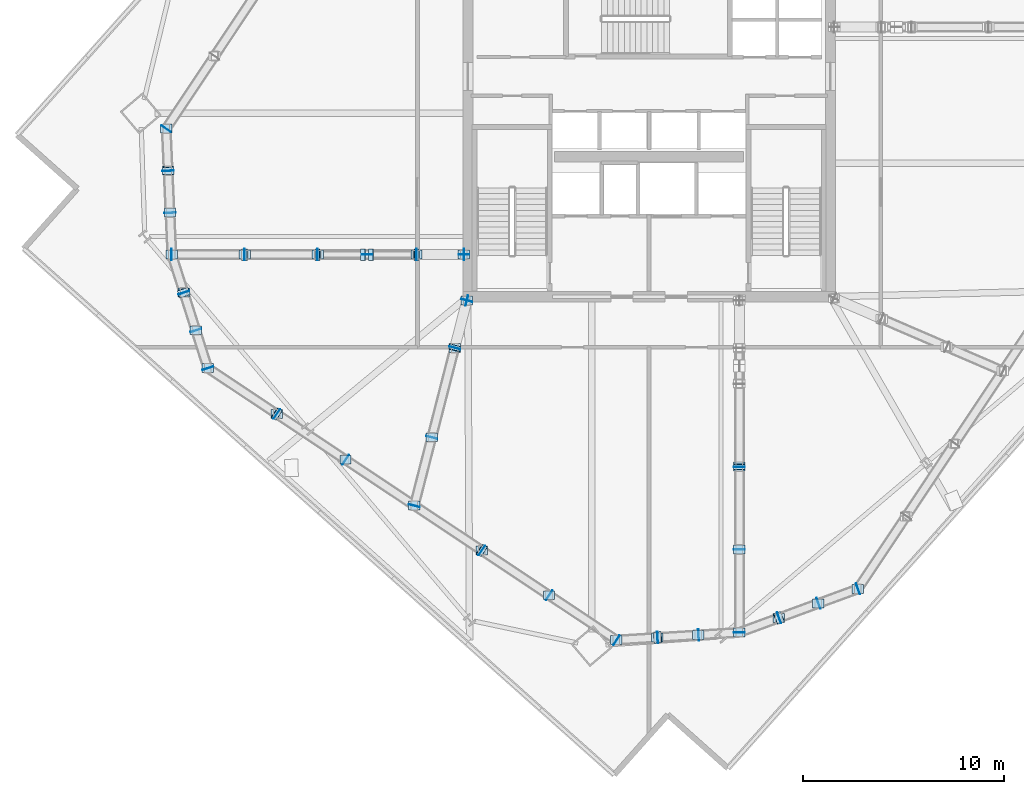
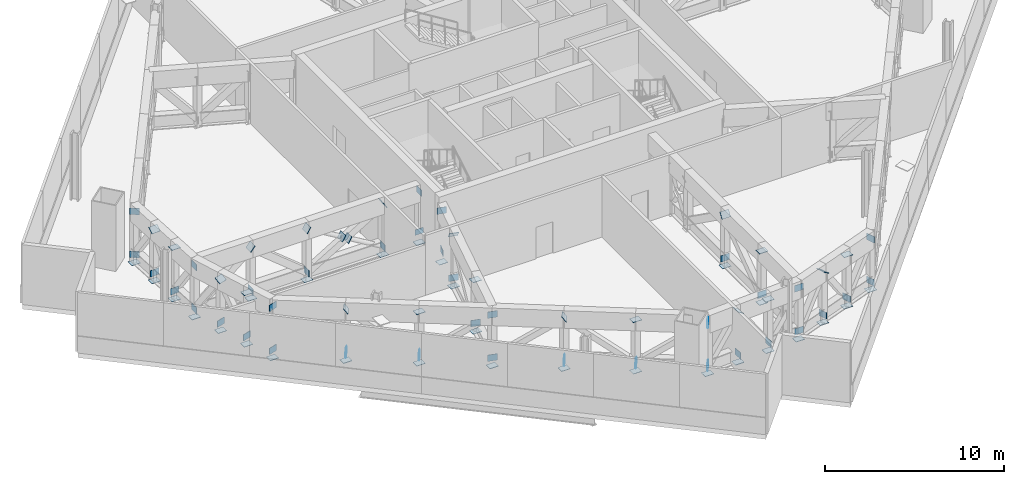
# One storey, part 8 of 18: 87 plates.
"""IFC4 building model written with IfcOpenShell, lengths in metres."""

from ifc_helpers import new_model, si_unit, direction, frame, origin, origin_2d, place, context, subcontext, project, spatial, rectangle, extrude, source, transform, mapped, material, layer, layer_set, type_object, element, save


model = new_model("IFC4")

# Units and contexts
model_context = context("Model", 3, precision=1e-05, world=origin(), true_north=direction((0.0, 1.0)))
body_context = subcontext(model_context, "Body", "Model", "MODEL_VIEW")
ifc_project = project(units=[si_unit("LENGTHUNIT", "METRE"), si_unit("AREAUNIT", "SQUARE_METRE"), si_unit("VOLUMEUNIT", "CUBIC_METRE"), si_unit("PLANEANGLEUNIT", "RADIAN"), si_unit("MASSUNIT", "GRAM", prefix="KILO")], contexts=[model_context])

# Site, building, storey
site_placement = place(None, origin())
site = spatial("IfcSite", under=ifc_project, at=site_placement, CompositionType="ELEMENT")
building_placement = place(site_placement, origin())
building = spatial("IfcBuilding", under=site, at=building_placement, Name="Haldenkirk Collegiate Tower", CompositionType="ELEMENT")
storey_placement = place(building_placement, frame((0.0, 0.0, 189.449951171875)))
storey = spatial("IfcBuildingStorey", under=building, at=storey_placement, Name="L47", CompositionType="ELEMENT", Elevation=189.449951171875)

# Plates
ifc_material = material(Name="Steel ASTM A572 Grade 50", Category="steel")
ifc_layer_1 = layer(ifc_material, 0.028076171875)
ifc_layer_set_1 = layer_set([ifc_layer_1], Name="Steel ASTM A572 Grade 50")
plate_type_1 = type_object("IfcPlateType", Name="PLT-CAP-INT-560X440", PredefinedType="USERDEFINED", material=ifc_layer_set_1)
shared_shape_1 = source(origin(), body_context, "Body", "SweptSolid", [
    extrude(rectangle(XDim=0.56005859375, YDim=0.43994140625, at=origin_2d()), origin(), (0.0, 0.0, 1.0), 0.028076171875),
])
for number, where, z_axis, x_axis, name in (
    (1, (40.482666015625, 9.5693359375, 0.550048828125), (0.0, -1.0, 0.0), (1.0, 0.0, 0.0), "Outrigger Truss L47 Radial 01 bottom chord 3 end plate 2"),
    (2, (40.482666015625, 9.56884765625, 3.48828125), (0.0, -0.813787116397, 0.581163083124), (1.0, 0.0, 0.0), "Outrigger Truss L47 Radial 01 web diagonal 3 end cap plate 2"),
    (3, (40.482666015625, 5.45263671875, 0.550048828125), (0.0, -1.0, 0.0), (1.0, 0.0, 0.0), "Outrigger Truss L47 Radial 01 bottom chord 4 end plate 2"),
    (4, (40.482666015625, 1.3359375, 3.489990234375), (0.0, -1.0, 0.0), (1.0, 0.0, 0.0), "Outrigger Truss L47 Radial 01 top chord 5 end cap plate 2"),
    (5, (40.482666015625, 1.3359375, 0.550048828125), (0.0, -1.0, 0.0), (1.0, 0.0, 0.0), "Outrigger Truss L47 Radial 01 bottom chord 5 end plate 2"),
    (6, (40.482666015625, 9.56640625, 0.0029296875), (0.0, 0.0, -1.0), (1.0, 0.0, 0.0), "Outrigger Truss L47 Radial 01 vertical post 4 end cap plate 1"),
    (7, (40.482666015625, 5.44970703125, 0.0029296875), (0.0, 0.0, -1.0), (1.0, 0.0, 0.0), "Outrigger Truss L47 Radial 01 vertical post 5 end cap plate 1"),
    (8, (40.482666015625, 5.44970703125, 3.48681640625), (0.0, 0.0, 1.0), (1.0, 0.0, 0.0), "Outrigger Truss L47 Radial 01 vertical post 5 end cap plate 2"),
    (9, (40.482666015625, 1.332763671875, 0.0029296875), (0.0, 0.0, -1.0), (1.0, 0.0, 0.0), "Outrigger Truss L47 Radial 01 vertical post 6 end cap plate 1"),
    (10, (26.796875, 20.089599609375, 3.489990234375), (1.0, 0.0, 0.0), (0.0, 1.0, 0.0), "Outrigger Truss L47 Radial 04 top chord 1 end cap plate 1"),
    (11, (24.44677734375, 20.089599609375, 0.550048828125), (1.0, 0.0, 0.0), (0.0, 1.0, 0.0), "Outrigger Truss L47 Radial 04 bottom chord 2 end plate 1"),
    (12, (19.55517578125, 20.089599609375, 0.550048828125), (-1.0, 0.0, 0.0), (0.0, -1.0, 0.0), "Outrigger Truss L47 Radial 04 bottom chord 2 end plate 2"),
    (13, (24.447509765625, 20.089599609375, 3.488525390625), (0.857386407291, 0.0, 0.514673244489), (0.0, 1.0, 0.0), "Outrigger Truss L47 Radial 04 web diagonal 2 end cap plate 1"),
    (14, (22.20947265625, 20.089599609375, 1.89501953125), (-0.857384818577, 0.0, 0.514675891094), (0.0, -1.0, 0.0), "Outrigger Truss L47 Radial 04 split X-brace diagonal 2A end cap plate 2"),
    (15, (21.792724609375, 20.089599609375, 2.145263671875), (0.857375109106, 0.0, -0.514692065497), (0.0, 1.0, 0.0), "Outrigger Truss L47 Radial 04 split X-brace diagonal 2B end cap plate 1"),
    (16, (19.554931640625, 20.089599609375, 3.488525390625), (-0.857375109106, 0.0, 0.514692065497), (0.0, -1.0, 0.0), "Outrigger Truss L47 Radial 04 split X-brace diagonal 2B end cap plate 2"),
    (17, (15.931640625, 20.089599609375, 0.550048828125), (-1.0, 0.0, 0.0), (0.0, -1.0, 0.0), "Outrigger Truss L47 Radial 04 bottom chord 3 end plate 2"),
    (18, (15.930908203125, 20.089599609375, 3.48828125), (-0.776568614492, 0.0, 0.630032687236), (0.0, -1.0, 0.0), "Outrigger Truss L47 Radial 04 web diagonal 3 end cap plate 2"),
    (19, (12.3076171875, 20.089599609375, 3.489990234375), (-1.0, 0.0, 0.0), (0.0, -1.0, 0.0), "Outrigger Truss L47 Radial 04 top chord 4 end cap plate 2"),
    (20, (12.3076171875, 20.089599609375, 0.550048828125), (-1.0, 0.0, 0.0), (0.0, -1.0, 0.0), "Outrigger Truss L47 Radial 04 bottom chord 4 end plate 2"),
    (21, (26.800048828125, 20.089599609375, 0.0029296875), (0.0, 0.0, -1.0), (1.0, 0.0, 0.0), "Outrigger Truss L47 Radial 04 vertical post 1 end cap plate 1"),
    (22, (24.449951171875, 20.089599609375, 0.0029296875), (0.0, 0.0, -1.0), (1.0, 0.0, 0.0), "Outrigger Truss L47 Radial 04 vertical post 2 end cap plate 1"),
    (23, (19.55224609375, 20.089599609375, 0.0029296875), (0.0, 0.0, -1.0), (1.0, 0.0, 0.0), "Outrigger Truss L47 Radial 04 vertical post 3 end cap plate 1"),
    (24, (15.928466796875, 20.089599609375, 0.0029296875), (0.0, 0.0, -1.0), (1.0, 0.0, 0.0), "Outrigger Truss L47 Radial 04 vertical post 4 end cap plate 1"),
    (25, (12.3046875, 20.089599609375, 0.0029296875), (0.0, 0.0, -1.0), (1.0, 0.0, 0.0), "Outrigger Truss L47 Radial 04 vertical post 5 end cap plate 1"),
    (26, (26.94970703125, 17.80322265625, 3.489990234375), (0.248190089644, 0.968711349888, 0.0), (-0.968711349888, 0.248190089644, 0.0), "Outrigger Truss L47 Radial 08 top chord 1 end cap plate 1"),
    (27, (26.345947265625, 15.447021484375, 0.550048828125), (0.248207942526, 0.96870677569, 0.0), (-0.96870677569, 0.248207942526, 0.0), "Outrigger Truss L47 Radial 08 bottom chord 2 end plate 1"),
    (28, (25.213134765625, 11.02587890625, 0.550048828125), (-0.248207942526, -0.96870677569, 0.0), (0.96870677569, -0.248207942526, 0.0), "Outrigger Truss L47 Radial 08 bottom chord 2 end plate 2"),
    (29, (26.34619140625, 15.447509765625, 3.488525390625), (0.20875804543, 0.81467917729, 0.54103411774), (-0.968702184922, 0.248225858699, -1.17587e-07), "Outrigger Truss L47 Radial 08 web diagonal 2 end cap plate 1"),
    (30, (24.343994140625, 7.63427734375, 3.489990234375), (-0.248196898871, -0.968709605295, 0.0), (0.968709605295, -0.248196898871, 0.0), "Outrigger Truss L47 Radial 08 top chord 3 end cap plate 2"),
    (31, (24.343994140625, 7.63427734375, 0.550048828125), (-0.248207942526, -0.96870677569, 0.0), (0.96870677569, -0.248207942526, 0.0), "Outrigger Truss L47 Radial 08 bottom chord 3 end plate 2"),
    (32, (26.950439453125, 17.806396484375, 0.0029296875), (0.0, 0.0, -1.0), (1.0, 0.0, 0.0), "Outrigger Truss L47 Radial 08 vertical post 1 end cap plate 1"),
    (33, (26.3466796875, 15.449951171875, 0.0029296875), (0.0, 0.0, -1.0), (1.0, 0.0, 0.0), "Outrigger Truss L47 Radial 08 vertical post 2 end cap plate 1"),
    (34, (25.21240234375, 11.02294921875, 0.0029296875), (0.0, 0.0, -1.0), (1.0, 0.0, 0.0), "Outrigger Truss L47 Radial 08 vertical post 3 end cap plate 1"),
    (35, (25.21240234375, 11.02294921875, 3.48681640625), (0.0, 0.0, 1.0), (1.0, 0.0, 0.0), "Outrigger Truss L47 Radial 08 vertical post 3 end cap plate 2"),
    (36, (24.34326171875, 7.63134765625, 0.0029296875), (0.0, 0.0, -1.0), (1.0, 0.0, 0.0), "Outrigger Truss L47 Radial 08 vertical post 4 end cap plate 1"),
    (37, (42.43994140625, 2.05078125, 0.550048828125), (0.93883913019, 0.344356047752, 0.0), (-0.344356047752, 0.93883913019, 0.0), "Belt Truss L47-01 bottom chord 1 end plate 2"),
    (38, (42.441162109375, 2.05126953125, 3.487548828125), (0.543600016266, 0.199392005967, 0.815317024397), (-0.344364132748, 0.938836164662, -9.5646e-08), "Belt Truss L47-01 web diagonal 1 end cap plate 2"),
    (39, (44.39990234375, 2.76953125, 0.550048828125), (0.93883913019, 0.344356047752, 0.0), (-0.344356047752, 0.93883913019, 0.0), "Belt Truss L47-01 bottom chord 2 end plate 2"),
    (40, (46.360107421875, 3.488525390625, 3.489990234375), (0.938836188053, 0.344364068978, 0.0), (-0.344364068978, 0.938836188053, 0.0), "Belt Truss L47-01 top chord 3 end cap plate 2"),
    (41, (46.360107421875, 3.488525390625, 0.550048828125), (0.93883913019, 0.344356047752, 0.0), (-0.344356047752, 0.93883913019, 0.0), "Belt Truss L47-01 bottom chord 3 end plate 2"),
    (42, (42.44287109375, 2.0517578125, 0.0029296875), (0.0, 0.0, -1.0), (1.0, 0.0, 0.0), "Belt Truss L47-01 vertical post 2 end cap plate 1"),
    (43, (44.40283203125, 2.770751953125, 0.0029296875), (0.0, 0.0, -1.0), (1.0, 0.0, 0.0), "Belt Truss L47-01 vertical post 3 end cap plate 1"),
    (44, (44.40283203125, 2.770751953125, 3.48681640625), (0.0, 0.0, 1.0), (1.0, 0.0, 0.0), "Belt Truss L47-01 vertical post 3 end cap plate 2"),
    (45, (46.363037109375, 3.48974609375, 0.0029296875), (0.0, 0.0, -1.0), (1.0, 0.0, 0.0), "Belt Truss L47-01 vertical post 4 end cap plate 1"),
    (46, (12.02685546875, 26.349609375, 3.489990234375), (-0.554113904837, -0.832440857038, 0.0), (0.832440857038, -0.554113904837, 0.0), "Belt Truss L47-11 top chord 3 end cap plate 2"),
    (47, (12.02685546875, 26.349609375, 0.550048828125), (-0.554115752018, -0.83243962746, 0.0), (0.83243962746, -0.554115752018, 0.0), "Belt Truss L47-11 bottom chord 3 end plate 2"),
    (48, (12.025146484375, 26.34716796875, 0.0029296875), (0.0, 0.0, -1.0), (1.0, 0.0, 0.0), "Belt Truss L47-11 vertical post 4 end cap plate 1"),
    (49, (12.1181640625, 24.26416015625, 0.550048828125), (0.044622995445, -0.999003898029, 0.0), (0.999003898029, 0.044622995445, 0.0), "Belt Truss L47-12 bottom chord 1 end plate 2"),
    (50, (12.118408203125, 24.262939453125, 3.487548828125), (0.025846007061, -0.578433158027, 0.815320222743), (0.999003194003, 0.044638754143, 3.58047e-07), "Belt Truss L47-12 web diagonal 1 end cap plate 2"),
    (51, (12.211181640625, 22.178466796875, 0.550048828125), (0.044622995445, -0.999003898029, 0.0), (0.999003898029, 0.044622995445, 0.0), "Belt Truss L47-12 bottom chord 2 end plate 2"),
    (52, (12.118408203125, 24.26123046875, 0.0029296875), (0.0, 0.0, -1.0), (1.0, 0.0, 0.0), "Belt Truss L47-12 vertical post 2 end cap plate 1"),
    (53, (12.21142578125, 22.175537109375, 0.0029296875), (0.0, 0.0, -1.0), (1.0, 0.0, 0.0), "Belt Truss L47-12 vertical post 3 end cap plate 1"),
    (54, (12.21142578125, 22.175537109375, 3.48681640625), (0.0, 0.0, 1.0), (1.0, 0.0, 0.0), "Belt Truss L47-12 vertical post 3 end cap plate 2"),
    (55, (12.8984375, 18.21533203125, 0.550048828125), (0.301943903165, -0.953325694263, 0.0), (0.953325694263, 0.301943903165, 0.0), "Belt Truss L47-13 bottom chord 1 end plate 2"),
    (56, (12.8984375, 18.214111328125, 3.487548828125), (0.168031999346, -0.530546997934, 0.830833996764), (0.95332911203, 0.301933112058, -1.08986e-07), "Belt Truss L47-13 web diagonal 1 end cap plate 2"),
    (57, (13.4931640625, 16.337646484375, 0.550048828125), (0.301943903165, -0.953325694263, 0.0), (0.953325694263, 0.301943903165, 0.0), "Belt Truss L47-13 bottom chord 2 end plate 2"),
    (58, (14.087646484375, 14.46044921875, 3.489990234375), (0.301933042462, -0.953329134071, 0.0), (0.953329134071, 0.301933042462, 0.0), "Belt Truss L47-13 top chord 3 end cap plate 2"),
    (59, (14.087646484375, 14.46044921875, 0.550048828125), (0.301943903165, -0.953325694263, 0.0), (0.953325694263, 0.301943903165, 0.0), "Belt Truss L47-13 bottom chord 3 end plate 2"),
    (60, (12.899169921875, 18.21240234375, 0.0029296875), (0.0, 0.0, -1.0), (1.0, 0.0, 0.0), "Belt Truss L47-13 vertical post 2 end cap plate 1"),
    (61, (13.493896484375, 16.334716796875, 0.0029296875), (0.0, 0.0, -1.0), (1.0, 0.0, 0.0), "Belt Truss L47-13 vertical post 3 end cap plate 1"),
    (62, (13.493896484375, 16.334716796875, 3.48681640625), (0.0, 0.0, 1.0), (1.0, 0.0, 0.0), "Belt Truss L47-13 vertical post 3 end cap plate 2"),
    (63, (14.08837890625, 14.45751953125, 0.0029296875), (0.0, 0.0, -1.0), (1.0, 0.0, 0.0), "Belt Truss L47-13 vertical post 4 end cap plate 1"),
    (64, (17.50439453125, 12.18359375, 0.550048828125), (0.832440857038, -0.554113904837, 0.0), (0.554113904837, 0.832440857038, 0.0), "Belt Truss L47-14 bottom chord 1 end plate 2"),
    (65, (17.504638671875, 12.183349609375, 3.48828125), (0.676847122498, -0.450545081541, 0.582140105357), (0.554115702979, 0.832439660103, -4.2177e-08), "Belt Truss L47-14 web diagonal 1 end cap plate 2"),
    (66, (20.92236328125, 9.908447265625, 0.550048828125), (0.832440857038, -0.554113904837, 0.0), (0.554113904837, 0.832440857038, 0.0), "Belt Truss L47-14 bottom chord 2 end plate 2"),
    (67, (17.5068359375, 12.181884765625, 0.0029296875), (0.0, 0.0, -1.0), (1.0, 0.0, 0.0), "Belt Truss L47-14 vertical post 2 end cap plate 1"),
    (68, (20.925048828125, 9.90673828125, 0.0029296875), (0.0, 0.0, -1.0), (1.0, 0.0, 0.0), "Belt Truss L47-14 vertical post 3 end cap plate 1"),
    (69, (20.925048828125, 9.90673828125, 3.48681640625), (0.0, 0.0, 1.0), (1.0, 0.0, 0.0), "Belt Truss L47-14 vertical post 3 end cap plate 2"),
    (70, (27.685302734375, 5.40673828125, 0.550048828125), (0.832438090832, -0.554118060463, 0.0), (0.554118060463, 0.832438090832, 0.0), "Belt Truss L47-15 bottom chord 1 end plate 2"),
    (71, (27.685791015625, 5.406494140625, 3.48828125), (0.671785588556, -0.447180726118, 0.590536638318), (0.554119875241, 0.83243688281, -2.8477e-08), "Belt Truss L47-15 web diagonal 1 end cap plate 2"),
    (72, (31.02978515625, 3.180419921875, 0.550048828125), (0.832438090832, -0.554118060463, 0.0), (0.554118060463, 0.832438090832, 0.0), "Belt Truss L47-15 bottom chord 2 end plate 2"),
    (73, (34.374267578125, 0.9541015625, 3.489990234375), (0.832436861246, -0.554119907637, 0.0), (0.554119907637, 0.832436861246, 0.0), "Belt Truss L47-15 top chord 3 end cap plate 2"),
    (74, (34.374267578125, 0.9541015625, 0.550048828125), (0.832438090832, -0.554118060463, 0.0), (0.554118060463, 0.832438090832, 0.0), "Belt Truss L47-15 bottom chord 3 end plate 2"),
    (75, (27.687744140625, 5.405029296875, 0.0029296875), (0.0, 0.0, -1.0), (1.0, 0.0, 0.0), "Belt Truss L47-15 vertical post 2 end cap plate 1"),
    (76, (31.0322265625, 3.1787109375, 0.0029296875), (0.0, 0.0, -1.0), (1.0, 0.0, 0.0), "Belt Truss L47-15 vertical post 3 end cap plate 1"),
    (77, (31.0322265625, 3.1787109375, 3.48681640625), (0.0, 0.0, 1.0), (1.0, 0.0, 0.0), "Belt Truss L47-15 vertical post 3 end cap plate 2"),
    (78, (34.376708984375, 0.952392578125, 0.0029296875), (0.0, 0.0, -1.0), (1.0, 0.0, 0.0), "Belt Truss L47-15 vertical post 4 end cap plate 1"),
    (79, (36.4091796875, 1.0791015625, 0.550048828125), (0.998065948474, 0.062163996791, 0.0), (-0.062163996791, 0.998065948474, 0.0), "Belt Truss L47-16 bottom chord 1 end plate 2"),
    (80, (36.41015625, 1.0791015625, 3.487548828125), (0.568836044487, 0.035439002772, 0.821687064262), (-0.062180112501, 0.998064944585, -1.66848e-07), "Belt Truss L47-16 web diagonal 1 end cap plate 2"),
    (81, (38.4443359375, 1.205810546875, 0.550048828125), (0.998065948474, 0.062163996791, 0.0), (-0.062163996791, 0.998065948474, 0.0), "Belt Truss L47-16 bottom chord 2 end plate 2"),
    (82, (36.412109375, 1.079345703125, 0.0029296875), (0.0, 0.0, -1.0), (1.0, 0.0, 0.0), "Belt Truss L47-16 vertical post 2 end cap plate 1"),
    (83, (38.447265625, 1.2060546875, 0.0029296875), (0.0, 0.0, -1.0), (1.0, 0.0, 0.0), "Belt Truss L47-16 vertical post 3 end cap plate 1"),
    (84, (38.447265625, 1.2060546875, 3.48681640625), (0.0, 0.0, 1.0), (1.0, 0.0, 0.0), "Belt Truss L47-16 vertical post 3 end cap plate 2"),
):
    element("IfcPlate", number, at=place(storey_placement, frame(where, z_axis=z_axis, x_axis=x_axis)), inside=storey, type_object=plate_type_1, Name=name, ObjectType="END CAP PLATE", PredefinedType="USERDEFINED", context=body_context, shape_type="MappedRepresentation", body=[
        mapped(shared_shape_1, transform((0.0, 0.0, 0.0), x_axis=(1.0, 0.0, 0.0), y_axis=(0.0, 1.0, 0.0), z_axis=(0.0, 0.0, 1.0), scale=1.0)),
    ])
ifc_layer_2 = layer(ifc_material, 0.031982421875)
ifc_layer_set_2 = layer_set([ifc_layer_2], Name="Steel ASTM A572 Grade 50")
plate_type_2 = type_object("IfcPlateType", Name="PLT-GUSSET-INT-520X380", PredefinedType="USERDEFINED", material=ifc_layer_set_2)
shared_shape_2 = source(origin(), body_context, "Body", "SweptSolid", [
    extrude(rectangle(XDim=0.52001953125, YDim=0.031982421875, at=origin_2d()), origin(), (0.0, 0.0, 1.0), 0.3798828125),
])
for number, where, z_axis, x_axis, name in (
    (85, (22.001220703125, 20.089599609375, 1.830078125), (0.0, 0.0, 1.0), (-1.0, 0.0, 0.0), "Outrigger Truss L47 Radial 04 X-brace crossing gusset plate 2"),
    (86, (26.800048828125, 20.089599609375, 0.550048828125), (0.0, 0.0, 1.0), (-1.0, 0.0, 0.0), "Outrigger Truss L47 Radial 04 bottom node gusset plate 1"),
    (87, (26.950439453125, 17.806396484375, 0.550048828125), (0.0, 0.0, 1.0), (-0.248207907453, -0.968706784676, 0.0), "Outrigger Truss L47 Radial 08 bottom node gusset plate 1"),
):
    element("IfcPlate", number, at=place(storey_placement, frame(where, z_axis=z_axis, x_axis=x_axis)), inside=storey, type_object=plate_type_2, Name=name, ObjectType="GUSSET PLATE", PredefinedType="USERDEFINED", context=body_context, shape_type="MappedRepresentation", body=[
        mapped(shared_shape_2, transform((0.0, 0.0, 0.0), x_axis=(1.0, 0.0, 0.0), y_axis=(0.0, 1.0, 0.0), z_axis=(0.0, 0.0, 1.0), scale=1.0)),
    ])

save(model, "model.ifc")
